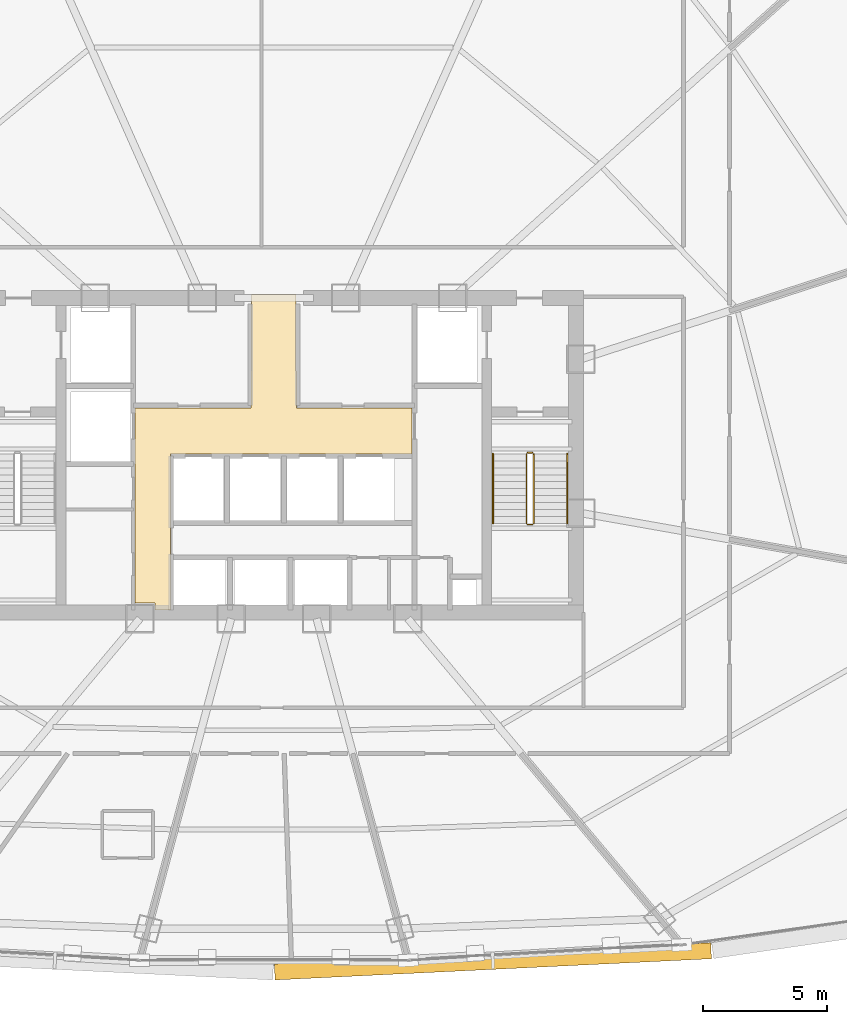
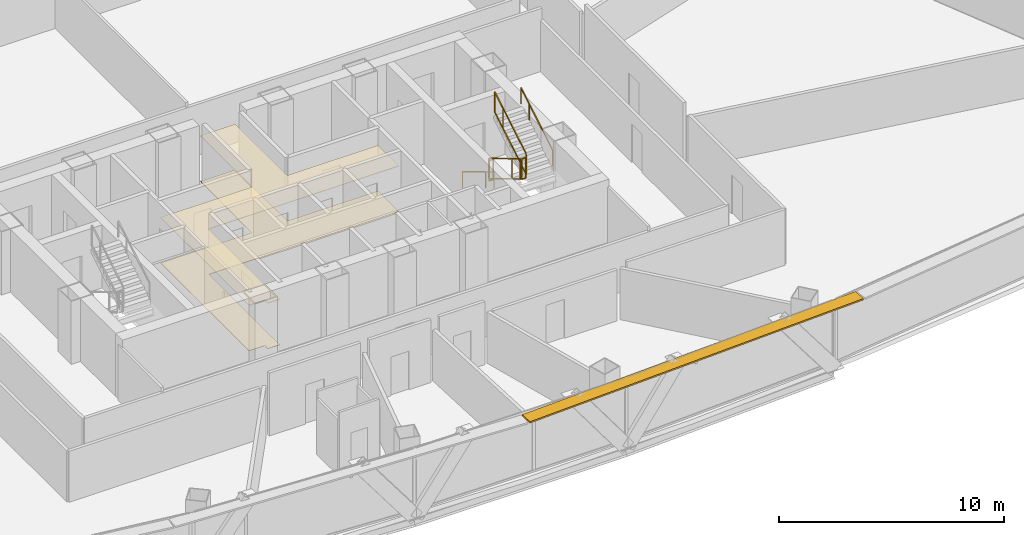
# One storey, part 38 of 40: 6 railings, 2 coverings, 1 shading device.
"""IFC4 building model written with IfcOpenShell, lengths in metres."""

from ifc_helpers import new_model, si_unit, direction, frame, origin, origin_2d, place, context, subcontext, project, spatial, polyline, rectangle, outline, extrude, source, transform, mapped, material, layer, layer_set, type_object, element, save


model = new_model("IFC4")

# Units and contexts
model_context = context("Model", 3, precision=1e-05, world=origin(), true_north=direction((0.0, 1.0)))
body_context = subcontext(model_context, "Body", "Model", "MODEL_VIEW")
ifc_project = project(units=[si_unit("LENGTHUNIT", "METRE"), si_unit("AREAUNIT", "SQUARE_METRE"), si_unit("VOLUMEUNIT", "CUBIC_METRE"), si_unit("PLANEANGLEUNIT", "RADIAN"), si_unit("MASSUNIT", "GRAM", prefix="KILO"), si_unit("THERMODYNAMICTEMPERATUREUNIT", "KELVIN"), si_unit("POWERUNIT", "WATT")], contexts=[model_context])

# Site, building, storey
site_placement = place(None, origin())
site = spatial("IfcSite", under=ifc_project, at=site_placement, CompositionType="ELEMENT")
building_placement = place(site_placement, origin())
building = spatial("IfcBuilding", under=site, at=building_placement, Name="Yunzhuo Pagoda Commons", CompositionType="ELEMENT")
storey_placement = place(building_placement, frame((0.0, 0.0, 159.27001953125)))
storey = spatial("IfcBuildingStorey", under=building, at=storey_placement, Name="L40", CompositionType="ELEMENT", Elevation=159.27001953125)

# Coverings
ifc_material_1 = material(Name="Perforated gypsum acoustic ceiling tile")
ifc_layer_1 = layer(ifc_material_1, 0.030029296875)
ifc_layer_set_1 = layer_set([ifc_layer_1], Name="Perforated gypsum acoustic ceiling tile")
covering_type_1 = type_object("IfcCoveringType", Name="COV-CL2 Ceiling 30", PredefinedType="CEILING", material=ifc_layer_set_1)
covering_1_placement = place(storey_placement, frame((0.0, 0.0, 2.469970703125)))
element("IfcCovering", 1, at=covering_1_placement, inside=storey, type_object=covering_type_1, Name="L40 lift lobby acoustic ceiling", PredefinedType="CEILING", context=body_context, shape_type="SweptSolid", body=[
    extrude(outline(polyline([(42.39990234375, 35.75), (47.080078125, 35.75), (47.080078125, 37.25), (47.10009765625, 37.25), (47.10009765625, 40.35009765625), (48.89990234375, 40.35009765625), (48.89990234375, 37.25), (48.919921875, 37.25), (48.919921875, 35.75), (53.580078125, 35.75), (53.580078125, 33.89990234375), (43.820068359375, 33.89990234375), (43.820068359375, 27.60009765625), (43.207763671875, 27.60009765625), (43.207763671875, 27.85009765625), (43.201904296875, 27.864013671875), (43.187744140625, 27.8701171875), (42.39990234375, 27.8701171875), (42.39990234375, 33.89990234375), (42.39990234375, 35.75)])), origin(), (0.0, 0.0, 1.0), 0.030029296875),
])
ifc_material_2 = material(Name="Porcelain ceramic floor tile")
ifc_layer_2 = layer(ifc_material_2, 0.02001953125)
ifc_layer_set_2 = layer_set([ifc_layer_2], Name="Porcelain ceramic floor tile")
covering_type_2 = type_object("IfcCoveringType", Name="COV-FL1 Flooring 20", PredefinedType="FLOORING", material=ifc_layer_set_2)
covering_2_placement = place(storey_placement, origin())
element("IfcCovering", 2, at=covering_2_placement, inside=storey, type_object=covering_type_2, Name="L40 lift lobby flooring", PredefinedType="FLOORING", context=body_context, shape_type="SweptSolid", body=[
    extrude(outline(polyline([(42.39990234375, 35.75), (47.080078125, 35.75), (47.080078125, 37.25), (47.10009765625, 37.25), (47.10009765625, 40.35009765625), (48.89990234375, 40.35009765625), (48.89990234375, 37.25), (48.919921875, 37.25), (48.919921875, 35.75), (53.580078125, 35.75), (53.580078125, 33.89990234375), (43.820068359375, 33.89990234375), (43.820068359375, 27.60009765625), (43.207763671875, 27.60009765625), (43.207763671875, 27.85009765625), (43.201904296875, 27.864013671875), (43.187744140625, 27.8701171875), (42.39990234375, 27.8701171875), (42.39990234375, 33.89990234375), (42.39990234375, 35.75)])), origin(), (0.0, 0.0, 1.0), 0.02001953125),
])

# Railings
ifc_material_3 = material(Name="Anodized aluminium 6063-T6", Category="aluminium")
railing_type_1 = type_object("IfcRailingType", Name="GR-ST2 Stair Well Guardrail 1160", PredefinedType="GUARDRAIL", material=ifc_material_3)
railing_1_placement = place(storey_placement, frame((58.199951171875, 33.89990234375, 0.167236328125)))
element("IfcRailing", 3, at=railing_1_placement, inside=storey, type_object=railing_type_1, Name="L40 ST2 stair guard 1", PredefinedType="GUARDRAIL", context=body_context, shape_type="SweptSolid", body=[
    extrude(rectangle(XDim=0.048095703125, YDim=0.048095703125, at=origin_2d()), frame((0.0, 0.0, 1.1259765625), z_axis=(0.0, -0.858442565357, 0.512909701589), x_axis=(1.0, 0.0, 0.0)), (0.0, 0.0, 1.0), 3.261474609375),
    extrude(rectangle(XDim=0.048095703125, YDim=0.048095703125, at=origin_2d()), frame((0.0, 0.0, 0.02392578125), z_axis=(0.0, -0.858442565357, 0.512909701589), x_axis=(1.0, 0.0, 0.0)), (0.0, 0.0, 1.0), 3.261474609375),
    extrude(rectangle(XDim=0.0419921875, YDim=0.0419921875, at=origin_2d()), origin(), (0.0, 0.0, 1.0), 1.101806640625),
    extrude(rectangle(XDim=0.0419921875, YDim=0.0419921875, at=origin_2d()), frame((0.0, -2.060302734375, 1.23095703125)), (0.0, 0.0, 1.0), 1.101806640625),
    extrude(rectangle(XDim=0.0419921875, YDim=0.0419921875, at=origin_2d()), frame((0.0, -2.7998046875, 1.6728515625)), (0.0, 0.0, 1.0), 1.101806640625),
])
railing_2_placement = place(storey_placement, frame((58.25, 31.050048828125, 1.840087890625)))
element("IfcRailing", 4, at=railing_2_placement, inside=storey, type_object=railing_type_1, Name="L40 ST2 stair guard 2", PredefinedType="GUARDRAIL", context=body_context, shape_type="SweptSolid", body=[
    extrude(rectangle(XDim=0.048095703125, YDim=0.048095703125, at=origin_2d()), frame((0.0, 0.0, 1.1259765625), z_axis=(1.0, 0.0, 0.0), x_axis=(0.0, 1.0, 0.0)), (0.0, 0.0, 1.0), 0.199951171875),
    extrude(rectangle(XDim=0.048095703125, YDim=0.048095703125, at=origin_2d()), frame((0.0, 0.0, 0.02392578125), z_axis=(1.0, 0.0, 0.0), x_axis=(0.0, 1.0, 0.0)), (0.0, 0.0, 1.0), 0.199951171875),
    extrude(rectangle(XDim=0.0419921875, YDim=0.0419921875, at=origin_2d()), origin(), (0.0, 0.0, 1.0), 1.101806640625),
    extrude(rectangle(XDim=0.0419921875, YDim=0.0419921875, at=origin_2d()), frame((0.199951171875, 0.0, 0.0)), (0.0, 0.0, 1.0), 1.101806640625),
])
railing_3_placement = place(storey_placement, frame((58.5, 31.10009765625, 2.00732421875)))
element("IfcRailing", 5, at=railing_3_placement, inside=storey, type_object=railing_type_1, Name="L40 ST2 stair guard 3", PredefinedType="GUARDRAIL", context=body_context, shape_type="SweptSolid", body=[
    extrude(rectangle(XDim=0.048095703125, YDim=0.048095703125, at=origin_2d()), frame((0.0, 0.0, 1.1259765625), z_axis=(0.0, 0.858475523978, 0.512854535645), x_axis=(-1.0, 0.0, 0.0)), (0.0, 0.0, 1.0), 3.261474609375),
    extrude(rectangle(XDim=0.048095703125, YDim=0.048095703125, at=origin_2d()), frame((0.0, 0.0, 0.02392578125), z_axis=(0.0, 0.858475523978, 0.512854535645), x_axis=(-1.0, 0.0, 0.0)), (0.0, 0.0, 1.0), 3.261474609375),
    extrude(rectangle(XDim=0.0419921875, YDim=0.0419921875, at=origin_2d()), origin(), (0.0, 0.0, 1.0), 1.101806640625),
    extrude(rectangle(XDim=0.0419921875, YDim=0.0419921875, at=origin_2d()), frame((0.0, 2.060302734375, 1.23095703125)), (0.0, 0.0, 1.0), 1.101806640625),
    extrude(rectangle(XDim=0.0419921875, YDim=0.0419921875, at=origin_2d()), frame((0.0, 2.7998046875, 1.672607421875)), (0.0, 0.0, 1.0), 1.101806640625),
])
railing_4_placement = place(storey_placement, frame((58.25, 33.949951171875, 0.0)))
element("IfcRailing", 6, at=railing_4_placement, inside=storey, type_object=railing_type_1, Name="L40 ST2 stair guard 4", PredefinedType="GUARDRAIL", context=body_context, shape_type="SweptSolid", body=[
    extrude(rectangle(XDim=0.048095703125, YDim=0.048095703125, at=origin_2d()), frame((0.0, 0.0, 1.1259765625), z_axis=(1.0, 0.0, 0.0), x_axis=(0.0, 1.0, 0.0)), (0.0, 0.0, 1.0), 0.199951171875),
    extrude(rectangle(XDim=0.048095703125, YDim=0.048095703125, at=origin_2d()), frame((0.0, 0.0, 0.02392578125), z_axis=(1.0, 0.0, 0.0), x_axis=(0.0, 1.0, 0.0)), (0.0, 0.0, 1.0), 0.199951171875),
    extrude(rectangle(XDim=0.0419921875, YDim=0.0419921875, at=origin_2d()), origin(), (0.0, 0.0, 1.0), 1.101806640625),
    extrude(rectangle(XDim=0.0419921875, YDim=0.0419921875, at=origin_2d()), frame((0.199951171875, 0.0, 0.0)), (0.0, 0.0, 1.0), 1.101806640625),
])
railing_type_2 = type_object("IfcRailingType", Name="HR-ST2 Stair Handrail 900", PredefinedType="HANDRAIL", material=ifc_material_3)
railing_5_placement = place(storey_placement, frame((56.85009765625, 33.89990234375, 0.167236328125)))
element("IfcRailing", 7, at=railing_5_placement, inside=storey, type_object=railing_type_2, Name="L40 ST2 stair handrail 1", PredefinedType="HANDRAIL", context=body_context, shape_type="SweptSolid", body=[
    extrude(rectangle(XDim=0.048095703125, YDim=0.048095703125, at=origin_2d()), frame((0.0, 0.0, 0.8759765625), z_axis=(0.0, -0.858442565357, 0.512909701589), x_axis=(1.0, 0.0, 0.0)), (0.0, 0.0, 1.0), 3.261474609375),
    extrude(rectangle(XDim=0.0419921875, YDim=0.0419921875, at=origin_2d()), origin(), (0.0, 0.0, 1.0), 0.851806640625),
    extrude(rectangle(XDim=0.0419921875, YDim=0.0419921875, at=origin_2d()), frame((0.0, -2.060302734375, 1.23095703125)), (0.0, 0.0, 1.0), 0.851806640625),
    extrude(rectangle(XDim=0.0419921875, YDim=0.0419921875, at=origin_2d()), frame((0.0, -2.7998046875, 1.6728515625)), (0.0, 0.0, 1.0), 0.851806640625),
])
railing_6_placement = place(storey_placement, frame((59.85009765625, 31.10009765625, 2.00732421875)))
element("IfcRailing", 8, at=railing_6_placement, inside=storey, type_object=railing_type_2, Name="L40 ST2 stair handrail 2", PredefinedType="HANDRAIL", context=body_context, shape_type="SweptSolid", body=[
    extrude(rectangle(XDim=0.048095703125, YDim=0.048095703125, at=origin_2d()), frame((0.0, 0.0, 0.8759765625), z_axis=(0.0, 0.858475523978, 0.512854535645), x_axis=(-1.0, 0.0, 0.0)), (0.0, 0.0, 1.0), 3.261474609375),
    extrude(rectangle(XDim=0.0419921875, YDim=0.0419921875, at=origin_2d()), origin(), (0.0, 0.0, 1.0), 0.851806640625),
    extrude(rectangle(XDim=0.0419921875, YDim=0.0419921875, at=origin_2d()), frame((0.0, 2.060302734375, 1.23095703125)), (0.0, 0.0, 1.0), 0.851806640625),
    extrude(rectangle(XDim=0.0419921875, YDim=0.0419921875, at=origin_2d()), frame((0.0, 2.7998046875, 1.672607421875)), (0.0, 0.0, 1.0), 0.851806640625),
])

# Shading device
ifc_layer_3 = layer(ifc_material_3, 0.080078125)
ifc_layer_set_3 = layer_set([ifc_layer_3], Name="Anodized aluminium 6063-T6")
shading_device_type = type_object("IfcShadingDeviceType", Name="SH-SUN1 Pagoda Horizontal Sunshade Eave 650", PredefinedType="USERDEFINED", material=ifc_layer_set_3)
shared_shape = source(origin(), body_context, "Body", "SweptSolid", [
    extrude(rectangle(XDim=17.64990234375, YDim=0.64990234375, at=origin_2d()), origin(), (0.0, 0.0, 1.0), 0.080078125),
])
shading_device_placement = place(storey_placement, frame((56.84619140625, 13.40478515625, 3.33984375), z_axis=(0.0, 0.0, 1.0), x_axis=(0.998818043775, 0.04860571396, 0.0)))
element("IfcShadingDevice", 9, at=shading_device_placement, inside=storey, type_object=shading_device_type, Name="L40 horizontal pagoda sunshade eave F1.3", ObjectType="SUNSHADE", PredefinedType="USERDEFINED", context=body_context, shape_type="MappedRepresentation", body=[
    mapped(shared_shape, transform((0.0, 0.0, 0.0), scale=1.0)),
])

save(model, "model.ifc")
